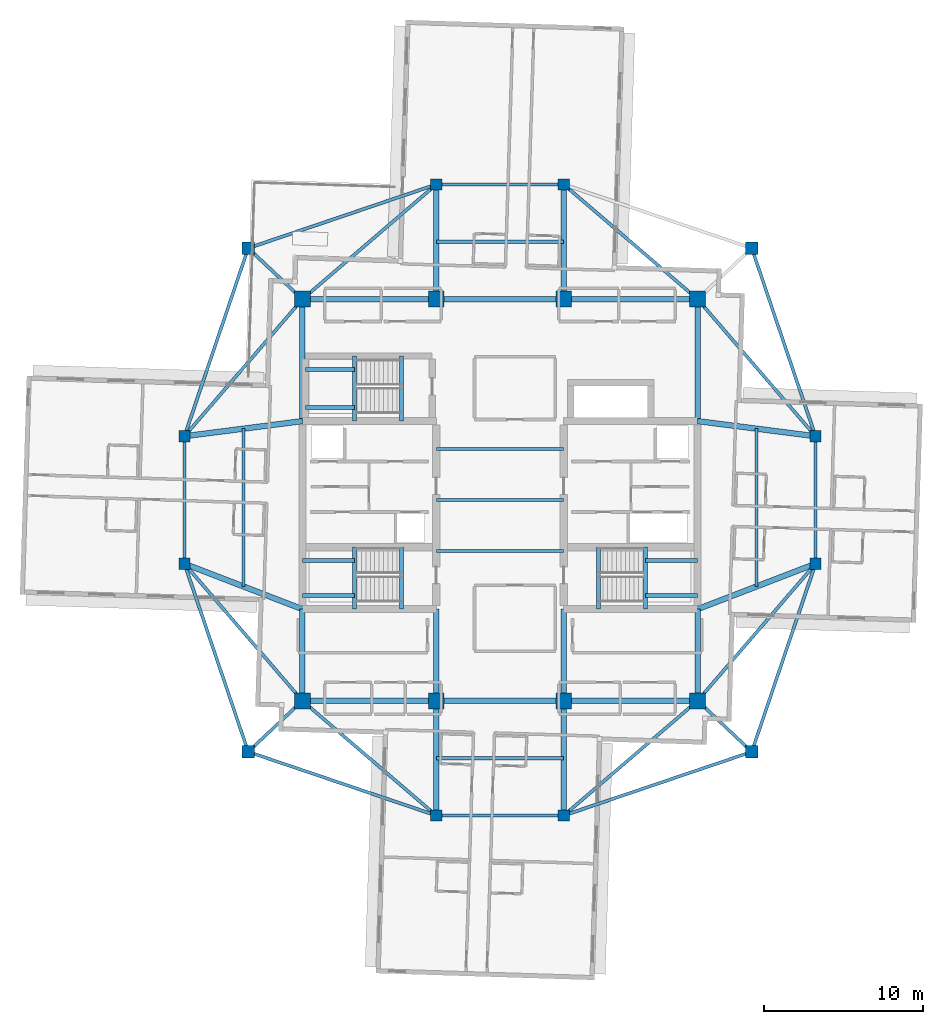
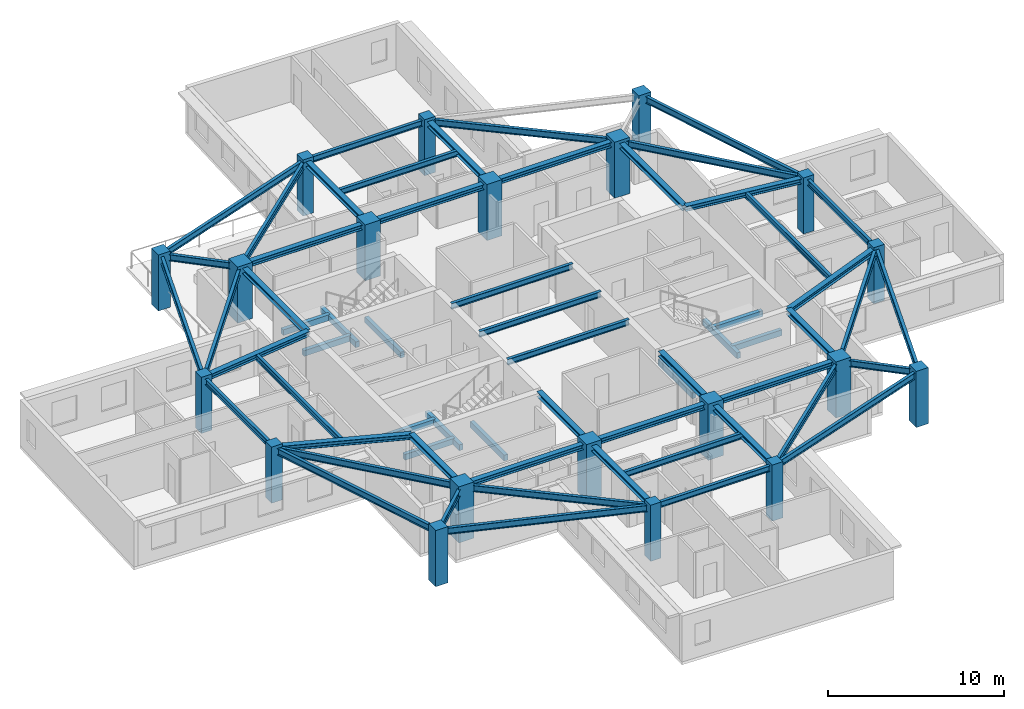
# One storey, part 1 of 13: 61 beams, 20 columns.
"""IFC4 building model written with IfcOpenShell, lengths in metres."""

from ifc_helpers import new_model, si_unit, direction, frame, origin, origin_2d, place, context, subcontext, project, spatial, rectangle, i_section, extrude, material, material_profile, profile_set, type_object, element, save


model = new_model("IFC4")

# Units and contexts
model_context = context("Model", 3, precision=1e-05, world=origin(), true_north=direction((0.0, 1.0)))
body_context = subcontext(model_context, "Body", "Model", "MODEL_VIEW")
ifc_project = project(units=[si_unit("LENGTHUNIT", "METRE"), si_unit("AREAUNIT", "SQUARE_METRE"), si_unit("VOLUMEUNIT", "CUBIC_METRE"), si_unit("PLANEANGLEUNIT", "RADIAN"), si_unit("MASSUNIT", "GRAM", prefix="KILO")], contexts=[model_context])

# Site, building, storey
site_placement = place(None, origin())
site = spatial("IfcSite", under=ifc_project, at=site_placement, CompositionType="ELEMENT")
building_placement = place(site_placement, origin())
building = spatial("IfcBuilding", under=site, at=building_placement, Name="Qingluan Cross Belvedere", CompositionType="ELEMENT")
storey_placement = place(building_placement, frame((0.0, 0.0, 257.699951171875)))
storey = spatial("IfcBuildingStorey", under=building, at=storey_placement, Name="L64", CompositionType="ELEMENT", Elevation=257.699951171875)

# Columns
ifc_material_1 = material(Name="Concrete C50", Category="concrete")
ifc_material_profile_1 = material_profile(ifc_material_1, rectangle(XDim=1.0, YDim=1.0, at=origin_2d()), Name="RC1000x1000")
ifc_profile_set_1 = profile_set([ifc_material_profile_1], Name="Concrete C50")
column_type_1 = type_object("IfcColumnType", Name="Column_RC1000x1000", PredefinedType="COLUMN", material=ifc_profile_set_1)
for number, where, z_axis, x_axis, name in (
    (1, (-12.39990234375, -12.60009765625, 0.0), (0.0, 0.0, 1.0), (1.0, 0.0, 0.0), "Hub column L64-HC1"),
    (2, (12.39990234375, -12.60009765625, 0.0), (0.0, 0.0, 1.0), (1.0, 0.0, 0.0), "Hub column L64-HC2"),
    (3, (12.39990234375, 12.60009765625, 0.0), (0.0, 0.0, 1.0), (1.0, 0.0, 0.0), "Hub column L64-HC3"),
    (4, (-12.39990234375, 12.60009765625, 0.0), (0.0, 0.0, 1.0), (1.0, 0.0, 0.0), "Hub column L64-HC4"),
    (5, (-4.0, -12.60009765625, 0.0), (0.0, 0.0, 1.0), (1.0, 0.0, 0.0), "Hub column L64-HC5"),
    (6, (4.0, -12.60009765625, 0.0), (0.0, 0.0, 1.0), (1.0, 0.0, 0.0), "Hub column L64-HC6"),
    (7, (4.0, 12.60009765625, 0.0), (0.0, 0.0, 1.0), (1.0, 0.0, 0.0), "Hub column L64-HC7"),
    (8, (-4.0, 12.60009765625, 0.0), (0.0, 0.0, 1.0), (1.0, 0.0, 0.0), "Hub column L64-HC8"),
):
    element("IfcColumn", number, at=place(storey_placement, frame(where, z_axis=z_axis, x_axis=x_axis)), inside=storey, type_object=column_type_1, Name=name, PredefinedType="COLUMN", context=body_context, shape_type="SweptSolid", body=[
        extrude(rectangle(XDim=1.0, YDim=1.0, at=origin_2d()), origin(), (0.0, 0.0, 1.0), 3.900146484375),
    ])
ifc_material_2 = material(Name="Concrete C50", Category="concrete")
ifc_material_profile_2 = material_profile(ifc_material_2, rectangle(XDim=0.699951171875, YDim=0.699951171875, at=origin_2d()), Name="RC700x700")
ifc_profile_set_2 = profile_set([ifc_material_profile_2], Name="Concrete C50")
column_type_2 = type_object("IfcColumnType", Name="Column_RC700x700", PredefinedType="COLUMN", material=ifc_profile_set_2)
for number, where, z_axis, x_axis, name in (
    (9, (19.800048828125, -4.0, 0.0), (0.0, 0.0, 1.0), (1.0, 0.0, 0.0), "Arm column L64-EIA"),
    (10, (19.800048828125, 4.0, 0.0), (0.0, 0.0, 1.0), (1.0, 0.0, 0.0), "Arm column L64-EIB"),
    (11, (-19.800048828125, -4.0, 0.0), (0.0, 0.0, 1.0), (1.0, 0.0, 0.0), "Arm column L64-WIA"),
    (12, (-19.800048828125, 4.0, 0.0), (0.0, 0.0, 1.0), (1.0, 0.0, 0.0), "Arm column L64-WIB"),
    (13, (-4.0, -19.800048828125, 0.0), (0.0, 0.0, 1.0), (1.0, 0.0, 0.0), "Arm column L64-SIA"),
    (14, (4.0, -19.800048828125, 0.0), (0.0, 0.0, 1.0), (1.0, 0.0, 0.0), "Arm column L64-SIB"),
    (15, (-4.0, 19.800048828125, 0.0), (0.0, 0.0, 1.0), (1.0, 0.0, 0.0), "Arm column L64-NIA"),
    (16, (4.0, 19.800048828125, 0.0), (0.0, 0.0, 1.0), (1.0, 0.0, 0.0), "Arm column L64-NIB"),
):
    element("IfcColumn", number, at=place(storey_placement, frame(where, z_axis=z_axis, x_axis=x_axis)), inside=storey, type_object=column_type_2, Name=name, PredefinedType="COLUMN", context=body_context, shape_type="SweptSolid", body=[
        extrude(rectangle(XDim=0.699951171875, YDim=0.699951171875, at=origin_2d()), origin(), (0.0, 0.0, 1.0), 3.900146484375),
    ])
ifc_material_3 = material(Name="Concrete C50", Category="concrete")
ifc_material_profile_3 = material_profile(ifc_material_3, rectangle(XDim=0.800048828125, YDim=0.800048828125, at=origin_2d()), Name="RC800x800")
ifc_profile_set_3 = profile_set([ifc_material_profile_3], Name="Concrete C50")
column_type_3 = type_object("IfcColumnType", Name="Column_RC800x800", PredefinedType="COLUMN", material=ifc_profile_set_3)
for number, where, z_axis, x_axis, name in (
    (17, (15.800048828125, 15.800048828125, 0.0), (0.0, 0.0, 1.0), (1.0, 0.0, 0.0), "Corner column L64-RNE"),
    (18, (-15.800048828125, 15.800048828125, 0.0), (0.0, 0.0, 1.0), (1.0, 0.0, 0.0), "Corner column L64-RNW"),
    (19, (-15.800048828125, -15.800048828125, 0.0), (0.0, 0.0, 1.0), (1.0, 0.0, 0.0), "Corner column L64-RSW"),
    (20, (15.800048828125, -15.800048828125, 0.0), (0.0, 0.0, 1.0), (1.0, 0.0, 0.0), "Corner column L64-RSE"),
):
    element("IfcColumn", number, at=place(storey_placement, frame(where, z_axis=z_axis, x_axis=x_axis)), inside=storey, type_object=column_type_3, Name=name, PredefinedType="COLUMN", context=body_context, shape_type="SweptSolid", body=[
        extrude(rectangle(XDim=0.800048828125, YDim=0.800048828125, at=origin_2d()), origin(), (0.0, 0.0, 1.0), 3.900146484375),
    ])

# Beams
ifc_material_4 = material(Name="Concrete C45", Category="concrete")
ifc_material_profile_4 = material_profile(ifc_material_4, rectangle(XDim=0.25, YDim=0.39990234375, at=origin_2d()), Name="RC250x400")
ifc_profile_set_4 = profile_set([ifc_material_profile_4], Name="Concrete C45")
beam_type_1 = type_object("IfcBeamType", Name="RC_Lintel_RC250x400", PredefinedType="LINTEL", material=ifc_profile_set_4)
for number, where, z_axis, x_axis, name in (
    (21, (-6.179931640625, -6.85009765625, -0.199951171875), (0.0, 1.0, 0.0), (-1.0, 0.0, 0.0), "Stair ST1 landing beam L64"),
    (22, (6.179931640625, -6.85009765625, -0.199951171875), (0.0, 1.0, 0.0), (-1.0, 0.0, 0.0), "Stair ST2 landing beam L64"),
):
    element("IfcBeam", number, at=place(storey_placement, frame(where, z_axis=z_axis, x_axis=x_axis)), inside=storey, type_object=beam_type_1, Name=name, PredefinedType="LINTEL", context=body_context, shape_type="SweptSolid", body=[
        extrude(rectangle(XDim=0.25, YDim=0.39990234375, at=origin_2d()), origin(), (0.0, 0.0, 1.0), 3.89013671875),
    ])
beam_1_placement = place(storey_placement, frame((-6.179931640625, 4.949951171875, -0.199951171875), z_axis=(0.0, 1.0, 0.0), x_axis=(-1.0, 0.0, 0.0)))
element("IfcBeam", 23, at=beam_1_placement, inside=storey, type_object=beam_type_1, Name="Stair ST3 landing beam L64", PredefinedType="LINTEL", context=body_context, shape_type="SweptSolid", body=[
    extrude(rectangle(XDim=0.25, YDim=0.39990234375, at=origin_2d()), origin(), (0.0, 0.0, 1.0), 4.090087890625),
])
beam_2_placement = place(storey_placement, frame((-9.1298828125, -6.85009765625, 1.550048828125), z_axis=(0.0, 1.0, 0.0), x_axis=(-1.0, 0.0, 0.0)))
element("IfcBeam", 24, at=beam_2_placement, inside=storey, type_object=beam_type_1, Name="Stair ST1 beam A L64", PredefinedType="LINTEL", context=body_context, shape_type="SweptSolid", body=[
    extrude(rectangle(XDim=0.25, YDim=0.39990234375, at=origin_2d()), origin(), (0.0, 0.0, 1.0), 3.89013671875),
])
for number, where, z_axis, x_axis, name in (
    (25, (-12.39990234375, -6.0, 1.550048828125), (1.0, 0.0, 0.0), (0.0, 1.0, 0.0), "Stair ST1 beam B L64"),
    (26, (-12.39990234375, -3.81005859375, 1.550048828125), (1.0, 0.0, 0.0), (0.0, 1.0, 0.0), "Stair ST1 beam C L64"),
):
    element("IfcBeam", number, at=place(storey_placement, frame(where, z_axis=z_axis, x_axis=x_axis)), inside=storey, type_object=beam_type_1, Name=name, PredefinedType="LINTEL", context=body_context, shape_type="SweptSolid", body=[
        extrude(rectangle(XDim=0.25, YDim=0.39990234375, at=origin_2d()), origin(), (0.0, 0.0, 1.0), 3.27001953125),
    ])
beam_3_placement = place(storey_placement, frame((9.1298828125, -6.85009765625, 1.550048828125), z_axis=(0.0, 1.0, 0.0), x_axis=(-1.0, 0.0, 0.0)))
element("IfcBeam", 27, at=beam_3_placement, inside=storey, type_object=beam_type_1, Name="Stair ST2 beam A L64", PredefinedType="LINTEL", context=body_context, shape_type="SweptSolid", body=[
    extrude(rectangle(XDim=0.25, YDim=0.39990234375, at=origin_2d()), origin(), (0.0, 0.0, 1.0), 3.89013671875),
])
for number, where, z_axis, x_axis, name in (
    (28, (12.39990234375, -6.0, 1.550048828125), (-1.0, 0.0, 0.0), (0.0, -1.0, 0.0), "Stair ST2 beam B L64"),
    (29, (12.39990234375, -3.81005859375, 1.550048828125), (-1.0, 0.0, 0.0), (0.0, -1.0, 0.0), "Stair ST2 beam C L64"),
):
    element("IfcBeam", number, at=place(storey_placement, frame(where, z_axis=z_axis, x_axis=x_axis)), inside=storey, type_object=beam_type_1, Name=name, PredefinedType="LINTEL", context=body_context, shape_type="SweptSolid", body=[
        extrude(rectangle(XDim=0.25, YDim=0.39990234375, at=origin_2d()), origin(), (0.0, 0.0, 1.0), 3.27001953125),
    ])
beam_4_placement = place(storey_placement, frame((-9.1298828125, 4.949951171875, 1.550048828125), z_axis=(0.0, 1.0, 0.0), x_axis=(-1.0, 0.0, 0.0)))
element("IfcBeam", 30, at=beam_4_placement, inside=storey, type_object=beam_type_1, Name="Stair ST3 beam A L64", PredefinedType="LINTEL", context=body_context, shape_type="SweptSolid", body=[
    extrude(rectangle(XDim=0.25, YDim=0.39990234375, at=origin_2d()), origin(), (0.0, 0.0, 1.0), 4.090087890625),
])
for number, where, z_axis, x_axis, name in (
    (31, (-12.219970703125, 5.800048828125, 1.550048828125), (1.0, 0.0, 0.0), (0.0, 1.0, 0.0), "Stair ST3 beam B L64"),
    (32, (-12.219970703125, 8.18994140625, 1.550048828125), (1.0, 0.0, 0.0), (0.0, 1.0, 0.0), "Stair ST3 beam C L64"),
):
    element("IfcBeam", number, at=place(storey_placement, frame(where, z_axis=z_axis, x_axis=x_axis)), inside=storey, type_object=beam_type_1, Name=name, PredefinedType="LINTEL", context=body_context, shape_type="SweptSolid", body=[
        extrude(rectangle(XDim=0.25, YDim=0.39990234375, at=origin_2d()), origin(), (0.0, 0.0, 1.0), 3.090087890625),
    ])
ifc_material_5 = material(Name="Steel Q420GJB", Category="steel")
ifc_material_profile_5 = material_profile(ifc_material_5, i_section(OverallWidth=0.199951171875, OverallDepth=0.39990234375, WebThickness=0.008056640625, FlangeThickness=0.012939453125, FilletRadius=0.012939453125, at=origin_2d()), Name="HN400x200x8x13")
ifc_profile_set_5 = profile_set([ifc_material_profile_5], Name="Steel Q420GJB")
beam_type_2 = type_object("IfcBeamType", Name="Steel_Beam_HN400x200x8x13", PredefinedType="JOIST", material=ifc_profile_set_5)
for number, where, z_axis, x_axis, name in (
    (33, (-4.0, -3.199951171875, 3.5), (1.0, 0.0, 0.0), (0.0, 1.0, 0.0), "Hall beam L64-CH1"),
    (34, (-4.0, 0.0, 3.5), (1.0, 0.0, 0.0), (0.0, 1.0, 0.0), "Hall beam L64-CH2"),
    (35, (-4.0, 3.199951171875, 3.5), (1.0, 0.0, 0.0), (0.0, 1.0, 0.0), "Hall beam L64-CH3"),
    (36, (19.800048828125, -4.0, 3.5), (0.0, 1.0, 0.0), (-1.0, 0.0, 0.0), "Arm E tie L64"),
):
    element("IfcBeam", number, at=place(storey_placement, frame(where, z_axis=z_axis, x_axis=x_axis)), inside=storey, type_object=beam_type_2, Name=name, PredefinedType="JOIST", context=body_context, shape_type="SweptSolid", body=[
        extrude(i_section(OverallWidth=0.199951171875, OverallDepth=0.39990234375, WebThickness=0.008056640625, FlangeThickness=0.012939453125, FilletRadius=0.012939453125, at=origin_2d()), origin(), (0.0, 0.0, 1.0), 8.0),
    ])
beam_5_placement = place(storey_placement, frame((16.10009765625, -5.425048828125, 3.5), z_axis=(0.0, 1.0, 0.0), x_axis=(-1.0, 0.0, 0.0)))
element("IfcBeam", 37, at=beam_5_placement, inside=storey, type_object=beam_type_2, Name="Arm E beam L64", PredefinedType="JOIST", context=body_context, shape_type="SweptSolid", body=[
    extrude(i_section(OverallWidth=0.199951171875, OverallDepth=0.39990234375, WebThickness=0.008056640625, FlangeThickness=0.012939453125, FilletRadius=0.012939453125, at=origin_2d()), origin(), (0.0, 0.0, 1.0), 9.900146484375),
])
beam_6_placement = place(storey_placement, frame((-19.800048828125, -4.0, 3.5), z_axis=(0.0, 1.0, 0.0), x_axis=(-1.0, 0.0, 0.0)))
element("IfcBeam", 38, at=beam_6_placement, inside=storey, type_object=beam_type_2, Name="Arm W tie L64", PredefinedType="JOIST", context=body_context, shape_type="SweptSolid", body=[
    extrude(i_section(OverallWidth=0.199951171875, OverallDepth=0.39990234375, WebThickness=0.008056640625, FlangeThickness=0.012939453125, FilletRadius=0.012939453125, at=origin_2d()), origin(), (0.0, 0.0, 1.0), 8.0),
])
beam_7_placement = place(storey_placement, frame((-16.10009765625, -5.425048828125, 3.5), z_axis=(0.0, 1.0, 0.0), x_axis=(-1.0, 0.0, 0.0)))
element("IfcBeam", 39, at=beam_7_placement, inside=storey, type_object=beam_type_2, Name="Arm W beam L64", PredefinedType="JOIST", context=body_context, shape_type="SweptSolid", body=[
    extrude(i_section(OverallWidth=0.199951171875, OverallDepth=0.39990234375, WebThickness=0.008056640625, FlangeThickness=0.012939453125, FilletRadius=0.012939453125, at=origin_2d()), origin(), (0.0, 0.0, 1.0), 9.900146484375),
])
for number, where, z_axis, x_axis, name in (
    (40, (-4.0, 19.800048828125, 3.5), (1.0, 0.0, 0.0), (0.0, 1.0, 0.0), "Arm N tie L64"),
    (41, (-4.0, 16.199951171875, 3.5), (1.0, 0.0, 0.0), (0.0, 1.0, 0.0), "Arm N beam L64"),
    (42, (-4.0, -19.800048828125, 3.5), (1.0, 0.0, 0.0), (0.0, 1.0, 0.0), "Arm S tie L64"),
    (43, (-4.0, -16.199951171875, 3.5), (1.0, 0.0, 0.0), (0.0, 1.0, 0.0), "Arm S beam L64"),
):
    element("IfcBeam", number, at=place(storey_placement, frame(where, z_axis=z_axis, x_axis=x_axis)), inside=storey, type_object=beam_type_2, Name=name, PredefinedType="JOIST", context=body_context, shape_type="SweptSolid", body=[
        extrude(i_section(OverallWidth=0.199951171875, OverallDepth=0.39990234375, WebThickness=0.008056640625, FlangeThickness=0.012939453125, FilletRadius=0.012939453125, at=origin_2d()), origin(), (0.0, 0.0, 1.0), 8.0),
    ])
ifc_material_6 = material(Name="Steel Q420GJB", Category="steel")
ifc_material_profile_6 = material_profile(ifc_material_6, i_section(OverallWidth=0.199951171875, OverallDepth=0.449951171875, WebThickness=0.009033203125, FlangeThickness=0.013916015625, FilletRadius=0.01611328125, at=origin_2d()), Name="HN450x200x9x14")
ifc_profile_set_6 = profile_set([ifc_material_profile_6], Name="Steel Q420GJB")
beam_type_3 = type_object("IfcBeamType", Name="Steel_Beam_HN450x200x9x14", PredefinedType="JOIST", material=ifc_profile_set_6)
beam_8_placement = place(storey_placement, frame((15.800048828125, 15.800048828125, 3.47509765625), z_axis=(0.321038089628, -0.947066283324, 0.0), x_axis=(0.947066283324, 0.321038089628, 0.0)))
element("IfcBeam", 44, at=beam_8_placement, inside=storey, type_object=beam_type_3, Name="Corner beam 3 L64-RNE", PredefinedType="JOIST", context=body_context, shape_type="SweptSolid", body=[
    extrude(i_section(OverallWidth=0.199951171875, OverallDepth=0.449951171875, WebThickness=0.009033203125, FlangeThickness=0.013916015625, FilletRadius=0.01611328125, at=origin_2d()), origin(), (0.0, 0.0, 1.0), 12.45947265625),
])
beam_9_placement = place(storey_placement, frame((12.39990234375, 12.60009765625, 3.47509765625), z_axis=(0.652245077546, -0.75800815221, 0.0), x_axis=(0.75800815221, 0.652245077546, 0.0)))
element("IfcBeam", 45, at=beam_9_placement, inside=storey, type_object=beam_type_3, Name="Corner beam 4 L64-RNE", PredefinedType="JOIST", context=body_context, shape_type="SweptSolid", body=[
    extrude(i_section(OverallWidth=0.199951171875, OverallDepth=0.449951171875, WebThickness=0.009033203125, FlangeThickness=0.013916015625, FilletRadius=0.01611328125, at=origin_2d()), origin(), (0.0, 0.0, 1.0), 11.345703125),
])
beam_10_placement = place(storey_placement, frame((12.39990234375, 12.60009765625, 3.47509765625), z_axis=(-0.759255044656, 0.650793190779, 0.0), x_axis=(-0.650793190779, -0.759255044656, 0.0)))
element("IfcBeam", 46, at=beam_10_placement, inside=storey, type_object=beam_type_3, Name="Corner beam 5 L64-RNE", PredefinedType="JOIST", context=body_context, shape_type="SweptSolid", body=[
    extrude(i_section(OverallWidth=0.199951171875, OverallDepth=0.449951171875, WebThickness=0.009033203125, FlangeThickness=0.013916015625, FilletRadius=0.01611328125, at=origin_2d()), origin(), (0.0, 0.0, 1.0), 11.063232421875),
])
beam_11_placement = place(storey_placement, frame((-12.39990234375, 12.60009765625, 3.47509765625), z_axis=(-0.728219948308, 0.685343495546, 0.0), x_axis=(-0.685343495546, -0.728219948308, 0.0)))
element("IfcBeam", 47, at=beam_11_placement, inside=storey, type_object=beam_type_3, Name="Corner beam 1 L64-RNW", PredefinedType="JOIST", context=body_context, shape_type="SweptSolid", body=[
    extrude(i_section(OverallWidth=0.199951171875, OverallDepth=0.449951171875, WebThickness=0.009033203125, FlangeThickness=0.013916015625, FilletRadius=0.01611328125, at=origin_2d()), origin(), (0.0, 0.0, 1.0), 4.669189453125),
])
for number, where, z_axis, x_axis, name in (
    (48, (-15.800048828125, 15.800048828125, 3.47509765625), (0.947066283324, 0.321038089628, 0.0), (-0.321038089628, 0.947066283324, 0.0), "Corner beam 2 L64-RNW"),
    (49, (-15.800048828125, 15.800048828125, 3.47509765625), (-0.321038089628, -0.947066283324, 0.0), (0.947066283324, -0.321038089628, 0.0), "Corner beam 3 L64-RNW"),
):
    element("IfcBeam", number, at=place(storey_placement, frame(where, z_axis=z_axis, x_axis=x_axis)), inside=storey, type_object=beam_type_3, Name=name, PredefinedType="JOIST", context=body_context, shape_type="SweptSolid", body=[
        extrude(i_section(OverallWidth=0.199951171875, OverallDepth=0.449951171875, WebThickness=0.009033203125, FlangeThickness=0.013916015625, FilletRadius=0.01611328125, at=origin_2d()), origin(), (0.0, 0.0, 1.0), 12.45947265625),
    ])
beam_12_placement = place(storey_placement, frame((-12.39990234375, 12.60009765625, 3.47509765625), z_axis=(-0.652245077546, -0.75800815221, 0.0), x_axis=(0.75800815221, -0.652245077546, 0.0)))
element("IfcBeam", 50, at=beam_12_placement, inside=storey, type_object=beam_type_3, Name="Corner beam 4 L64-RNW", PredefinedType="JOIST", context=body_context, shape_type="SweptSolid", body=[
    extrude(i_section(OverallWidth=0.199951171875, OverallDepth=0.449951171875, WebThickness=0.009033203125, FlangeThickness=0.013916015625, FilletRadius=0.01611328125, at=origin_2d()), origin(), (0.0, 0.0, 1.0), 11.345703125),
])
beam_13_placement = place(storey_placement, frame((-12.39990234375, 12.60009765625, 3.47509765625), z_axis=(0.759255044656, 0.650793190779, 0.0), x_axis=(-0.650793190779, 0.759255044656, 0.0)))
element("IfcBeam", 51, at=beam_13_placement, inside=storey, type_object=beam_type_3, Name="Corner beam 5 L64-RNW", PredefinedType="JOIST", context=body_context, shape_type="SweptSolid", body=[
    extrude(i_section(OverallWidth=0.199951171875, OverallDepth=0.449951171875, WebThickness=0.009033203125, FlangeThickness=0.013916015625, FilletRadius=0.01611328125, at=origin_2d()), origin(), (0.0, 0.0, 1.0), 11.063232421875),
])
beam_14_placement = place(storey_placement, frame((-12.39990234375, -12.60009765625, 3.455078125), z_axis=(-0.728219948308, -0.685343495546, 0.0), x_axis=(0.685343495546, -0.728219948308, 0.0)))
element("IfcBeam", 52, at=beam_14_placement, inside=storey, type_object=beam_type_3, Name="Corner beam 1 L64-RSW", PredefinedType="JOIST", context=body_context, shape_type="SweptSolid", body=[
    extrude(i_section(OverallWidth=0.199951171875, OverallDepth=0.449951171875, WebThickness=0.009033203125, FlangeThickness=0.013916015625, FilletRadius=0.01611328125, at=origin_2d()), origin(), (0.0, 0.0, 1.0), 4.669189453125),
])
for number, where, z_axis, x_axis, name in (
    (53, (-15.800048828125, -15.800048828125, 3.455078125), (0.947066283324, -0.321038089628, 0.0), (0.321038089628, 0.947066283324, 0.0), "Corner beam 2 L64-RSW"),
    (54, (-15.800048828125, -15.800048828125, 3.455078125), (-0.321038089628, 0.947066283324, 0.0), (-0.947066283324, -0.321038089628, 0.0), "Corner beam 3 L64-RSW"),
):
    element("IfcBeam", number, at=place(storey_placement, frame(where, z_axis=z_axis, x_axis=x_axis)), inside=storey, type_object=beam_type_3, Name=name, PredefinedType="JOIST", context=body_context, shape_type="SweptSolid", body=[
        extrude(i_section(OverallWidth=0.199951171875, OverallDepth=0.449951171875, WebThickness=0.009033203125, FlangeThickness=0.013916015625, FilletRadius=0.01611328125, at=origin_2d()), origin(), (0.0, 0.0, 1.0), 12.45947265625),
    ])
beam_15_placement = place(storey_placement, frame((-12.39990234375, -12.60009765625, 3.455078125), z_axis=(-0.652245077546, 0.75800815221, 0.0), x_axis=(-0.75800815221, -0.652245077546, 0.0)))
element("IfcBeam", 55, at=beam_15_placement, inside=storey, type_object=beam_type_3, Name="Corner beam 4 L64-RSW", PredefinedType="JOIST", context=body_context, shape_type="SweptSolid", body=[
    extrude(i_section(OverallWidth=0.199951171875, OverallDepth=0.449951171875, WebThickness=0.009033203125, FlangeThickness=0.013916015625, FilletRadius=0.01611328125, at=origin_2d()), origin(), (0.0, 0.0, 1.0), 11.345703125),
])
beam_16_placement = place(storey_placement, frame((-12.39990234375, -12.60009765625, 3.455078125), z_axis=(0.759255044656, -0.650793190779, 0.0), x_axis=(0.650793190779, 0.759255044656, 0.0)))
element("IfcBeam", 56, at=beam_16_placement, inside=storey, type_object=beam_type_3, Name="Corner beam 5 L64-RSW", PredefinedType="JOIST", context=body_context, shape_type="SweptSolid", body=[
    extrude(i_section(OverallWidth=0.199951171875, OverallDepth=0.449951171875, WebThickness=0.009033203125, FlangeThickness=0.013916015625, FilletRadius=0.01611328125, at=origin_2d()), origin(), (0.0, 0.0, 1.0), 11.063232421875),
])
beam_17_placement = place(storey_placement, frame((12.39990234375, -12.60009765625, 3.47509765625), z_axis=(0.728219948308, -0.685343495546, 0.0), x_axis=(0.685343495546, 0.728219948308, 0.0)))
element("IfcBeam", 57, at=beam_17_placement, inside=storey, type_object=beam_type_3, Name="Corner beam 1 L64-RSE", PredefinedType="JOIST", context=body_context, shape_type="SweptSolid", body=[
    extrude(i_section(OverallWidth=0.199951171875, OverallDepth=0.449951171875, WebThickness=0.009033203125, FlangeThickness=0.013916015625, FilletRadius=0.01611328125, at=origin_2d()), origin(), (0.0, 0.0, 1.0), 4.669189453125),
])
for number, where, z_axis, x_axis, name in (
    (58, (15.800048828125, -15.800048828125, 3.47509765625), (-0.947066283324, -0.321038089628, 0.0), (0.321038089628, -0.947066283324, 0.0), "Corner beam 2 L64-RSE"),
    (59, (15.800048828125, -15.800048828125, 3.47509765625), (0.321038089628, 0.947066283324, 0.0), (-0.947066283324, 0.321038089628, 0.0), "Corner beam 3 L64-RSE"),
):
    element("IfcBeam", number, at=place(storey_placement, frame(where, z_axis=z_axis, x_axis=x_axis)), inside=storey, type_object=beam_type_3, Name=name, PredefinedType="JOIST", context=body_context, shape_type="SweptSolid", body=[
        extrude(i_section(OverallWidth=0.199951171875, OverallDepth=0.449951171875, WebThickness=0.009033203125, FlangeThickness=0.013916015625, FilletRadius=0.01611328125, at=origin_2d()), origin(), (0.0, 0.0, 1.0), 12.45947265625),
    ])
beam_18_placement = place(storey_placement, frame((12.39990234375, -12.60009765625, 3.47509765625), z_axis=(0.652245077546, 0.75800815221, 0.0), x_axis=(-0.75800815221, 0.652245077546, 0.0)))
element("IfcBeam", 60, at=beam_18_placement, inside=storey, type_object=beam_type_3, Name="Corner beam 4 L64-RSE", PredefinedType="JOIST", context=body_context, shape_type="SweptSolid", body=[
    extrude(i_section(OverallWidth=0.199951171875, OverallDepth=0.449951171875, WebThickness=0.009033203125, FlangeThickness=0.013916015625, FilletRadius=0.01611328125, at=origin_2d()), origin(), (0.0, 0.0, 1.0), 11.345703125),
])
beam_19_placement = place(storey_placement, frame((12.39990234375, -12.60009765625, 3.47509765625), z_axis=(-0.759255044656, -0.650793190779, 0.0), x_axis=(0.650793190779, -0.759255044656, 0.0)))
element("IfcBeam", 61, at=beam_19_placement, inside=storey, type_object=beam_type_3, Name="Corner beam 5 L64-RSE", PredefinedType="JOIST", context=body_context, shape_type="SweptSolid", body=[
    extrude(i_section(OverallWidth=0.199951171875, OverallDepth=0.449951171875, WebThickness=0.009033203125, FlangeThickness=0.013916015625, FilletRadius=0.01611328125, at=origin_2d()), origin(), (0.0, 0.0, 1.0), 11.063232421875),
])
ifc_material_7 = material(Name="Steel Q420GJB", Category="steel")
ifc_material_profile_7 = material_profile(ifc_material_7, i_section(OverallWidth=0.35009765625, OverallDepth=0.35009765625, WebThickness=0.011962890625, FlangeThickness=0.01904296875, FilletRadius=0.02001953125, at=origin_2d()), Name="HW350x350x12x19")
ifc_profile_set_7 = profile_set([ifc_material_profile_7], Name="Steel Q420GJB")
beam_type_4 = type_object("IfcBeamType", Name="Steel_Girder_HW350x350x12x19", PredefinedType="USERDEFINED", material=ifc_profile_set_7)
beam_20_placement = place(storey_placement, frame((-12.39990234375, -12.60009765625, 3.525146484375), z_axis=(1.0, 0.0, 0.0), x_axis=(0.0, 1.0, 0.0)))
element("IfcBeam", 62, at=beam_20_placement, inside=storey, type_object=beam_type_4, Name="Hub girder L64-HG-S1", ObjectType="GIRDER", PredefinedType="USERDEFINED", context=body_context, shape_type="SweptSolid", body=[
    extrude(i_section(OverallWidth=0.35009765625, OverallDepth=0.35009765625, WebThickness=0.011962890625, FlangeThickness=0.01904296875, FilletRadius=0.02001953125, at=origin_2d()), origin(), (0.0, 0.0, 1.0), 8.39990234375),
])
beam_21_placement = place(storey_placement, frame((-4.0, -12.60009765625, 3.525146484375), z_axis=(1.0, 0.0, 0.0), x_axis=(0.0, 1.0, 0.0)))
element("IfcBeam", 63, at=beam_21_placement, inside=storey, type_object=beam_type_4, Name="Hub girder L64-HG-S2", ObjectType="GIRDER", PredefinedType="USERDEFINED", context=body_context, shape_type="SweptSolid", body=[
    extrude(i_section(OverallWidth=0.35009765625, OverallDepth=0.35009765625, WebThickness=0.011962890625, FlangeThickness=0.01904296875, FilletRadius=0.02001953125, at=origin_2d()), origin(), (0.0, 0.0, 1.0), 8.0),
])
for number, where, z_axis, x_axis, name in (
    (64, (4.0, -12.60009765625, 3.525146484375), (1.0, 0.0, 0.0), (0.0, 1.0, 0.0), "Hub girder L64-HG-S3"),
    (65, (-12.39990234375, 12.60009765625, 3.525146484375), (1.0, 0.0, 0.0), (0.0, 1.0, 0.0), "Hub girder L64-HG-N1"),
):
    element("IfcBeam", number, at=place(storey_placement, frame(where, z_axis=z_axis, x_axis=x_axis)), inside=storey, type_object=beam_type_4, Name=name, ObjectType="GIRDER", PredefinedType="USERDEFINED", context=body_context, shape_type="SweptSolid", body=[
        extrude(i_section(OverallWidth=0.35009765625, OverallDepth=0.35009765625, WebThickness=0.011962890625, FlangeThickness=0.01904296875, FilletRadius=0.02001953125, at=origin_2d()), origin(), (0.0, 0.0, 1.0), 8.39990234375),
    ])
beam_22_placement = place(storey_placement, frame((-4.0, 12.60009765625, 3.525146484375), z_axis=(1.0, 0.0, 0.0), x_axis=(0.0, 1.0, 0.0)))
element("IfcBeam", 66, at=beam_22_placement, inside=storey, type_object=beam_type_4, Name="Hub girder L64-HG-N2", ObjectType="GIRDER", PredefinedType="USERDEFINED", context=body_context, shape_type="SweptSolid", body=[
    extrude(i_section(OverallWidth=0.35009765625, OverallDepth=0.35009765625, WebThickness=0.011962890625, FlangeThickness=0.01904296875, FilletRadius=0.02001953125, at=origin_2d()), origin(), (0.0, 0.0, 1.0), 8.0),
])
beam_23_placement = place(storey_placement, frame((4.0, 12.60009765625, 3.525146484375), z_axis=(1.0, 0.0, 0.0), x_axis=(0.0, 1.0, 0.0)))
element("IfcBeam", 67, at=beam_23_placement, inside=storey, type_object=beam_type_4, Name="Hub girder L64-HG-N3", ObjectType="GIRDER", PredefinedType="USERDEFINED", context=body_context, shape_type="SweptSolid", body=[
    extrude(i_section(OverallWidth=0.35009765625, OverallDepth=0.35009765625, WebThickness=0.011962890625, FlangeThickness=0.01904296875, FilletRadius=0.02001953125, at=origin_2d()), origin(), (0.0, 0.0, 1.0), 8.39990234375),
])
beam_24_placement = place(storey_placement, frame((-12.39990234375, -12.60009765625, 3.525146484375), z_axis=(0.0, 1.0, 0.0), x_axis=(-1.0, 0.0, 0.0)))
element("IfcBeam", 68, at=beam_24_placement, inside=storey, type_object=beam_type_4, Name="Hub girder L64-HG-W1", ObjectType="GIRDER", PredefinedType="USERDEFINED", context=body_context, shape_type="SweptSolid", body=[
    extrude(i_section(OverallWidth=0.35009765625, OverallDepth=0.35009765625, WebThickness=0.011962890625, FlangeThickness=0.01904296875, FilletRadius=0.02001953125, at=origin_2d()), origin(), (0.0, 0.0, 1.0), 5.75),
])
beam_25_placement = place(storey_placement, frame((-12.39990234375, 4.949951171875, 3.525146484375), z_axis=(0.0, 1.0, 0.0), x_axis=(-1.0, 0.0, 0.0)))
element("IfcBeam", 69, at=beam_25_placement, inside=storey, type_object=beam_type_4, Name="Hub girder L64-HG-W2", ObjectType="GIRDER", PredefinedType="USERDEFINED", context=body_context, shape_type="SweptSolid", body=[
    extrude(i_section(OverallWidth=0.35009765625, OverallDepth=0.35009765625, WebThickness=0.011962890625, FlangeThickness=0.01904296875, FilletRadius=0.02001953125, at=origin_2d()), origin(), (0.0, 0.0, 1.0), 7.650146484375),
])
beam_26_placement = place(storey_placement, frame((12.39990234375, -12.60009765625, 3.525146484375), z_axis=(0.0, 1.0, 0.0), x_axis=(-1.0, 0.0, 0.0)))
element("IfcBeam", 70, at=beam_26_placement, inside=storey, type_object=beam_type_4, Name="Hub girder L64-HG-E1", ObjectType="GIRDER", PredefinedType="USERDEFINED", context=body_context, shape_type="SweptSolid", body=[
    extrude(i_section(OverallWidth=0.35009765625, OverallDepth=0.35009765625, WebThickness=0.011962890625, FlangeThickness=0.01904296875, FilletRadius=0.02001953125, at=origin_2d()), origin(), (0.0, 0.0, 1.0), 5.75),
])
beam_27_placement = place(storey_placement, frame((12.39990234375, 4.949951171875, 3.525146484375), z_axis=(0.0, 1.0, 0.0), x_axis=(-1.0, 0.0, 0.0)))
element("IfcBeam", 71, at=beam_27_placement, inside=storey, type_object=beam_type_4, Name="Hub girder L64-HG-E2", ObjectType="GIRDER", PredefinedType="USERDEFINED", context=body_context, shape_type="SweptSolid", body=[
    extrude(i_section(OverallWidth=0.35009765625, OverallDepth=0.35009765625, WebThickness=0.011962890625, FlangeThickness=0.01904296875, FilletRadius=0.02001953125, at=origin_2d()), origin(), (0.0, 0.0, 1.0), 7.650146484375),
])
for number, where, z_axis, x_axis, name in (
    (72, (-4.0, -12.60009765625, 3.525146484375), (0.0, 1.0, 0.0), (-1.0, 0.0, 0.0), "Hub girder L64-HG-CW"),
    (73, (4.0, -12.60009765625, 3.525146484375), (0.0, 1.0, 0.0), (-1.0, 0.0, 0.0), "Hub girder L64-HG-CE"),
):
    element("IfcBeam", number, at=place(storey_placement, frame(where, z_axis=z_axis, x_axis=x_axis)), inside=storey, type_object=beam_type_4, Name=name, ObjectType="GIRDER", PredefinedType="USERDEFINED", context=body_context, shape_type="SweptSolid", body=[
        extrude(i_section(OverallWidth=0.35009765625, OverallDepth=0.35009765625, WebThickness=0.011962890625, FlangeThickness=0.01904296875, FilletRadius=0.02001953125, at=origin_2d()), origin(), (0.0, 0.0, 1.0), 5.75),
    ])
beam_28_placement = place(storey_placement, frame((12.39990234375, -6.85009765625, 3.525146484375), z_axis=(0.933181258889, 0.359406090735, 0.0), x_axis=(-0.359406090735, 0.933181258889, 0.0)))
element("IfcBeam", 74, at=beam_28_placement, inside=storey, type_object=beam_type_4, Name="Arm E radial girder A L64", ObjectType="GIRDER", PredefinedType="USERDEFINED", context=body_context, shape_type="SweptSolid", body=[
    extrude(i_section(OverallWidth=0.35009765625, OverallDepth=0.35009765625, WebThickness=0.011962890625, FlangeThickness=0.01904296875, FilletRadius=0.02001953125, at=origin_2d()), origin(), (0.0, 0.0, 1.0), 7.929931640625),
])
beam_29_placement = place(storey_placement, frame((12.39990234375, 4.949951171875, 3.525146484375), z_axis=(0.991861120628, -0.12732445714, 0.0), x_axis=(0.12732445714, 0.991861120628, 0.0)))
element("IfcBeam", 75, at=beam_29_placement, inside=storey, type_object=beam_type_4, Name="Arm E radial girder B L64", ObjectType="GIRDER", PredefinedType="USERDEFINED", context=body_context, shape_type="SweptSolid", body=[
    extrude(i_section(OverallWidth=0.35009765625, OverallDepth=0.35009765625, WebThickness=0.011962890625, FlangeThickness=0.01904296875, FilletRadius=0.02001953125, at=origin_2d()), origin(), (0.0, 0.0, 1.0), 7.4609375),
])
beam_30_placement = place(storey_placement, frame((-12.39990234375, -6.85009765625, 3.525146484375), z_axis=(-0.933181258889, 0.359406090735, 0.0), x_axis=(-0.359406090735, -0.933181258889, 0.0)))
element("IfcBeam", 76, at=beam_30_placement, inside=storey, type_object=beam_type_4, Name="Arm W radial girder A L64", ObjectType="GIRDER", PredefinedType="USERDEFINED", context=body_context, shape_type="SweptSolid", body=[
    extrude(i_section(OverallWidth=0.35009765625, OverallDepth=0.35009765625, WebThickness=0.011962890625, FlangeThickness=0.01904296875, FilletRadius=0.02001953125, at=origin_2d()), origin(), (0.0, 0.0, 1.0), 7.929931640625),
])
beam_31_placement = place(storey_placement, frame((-12.39990234375, 4.949951171875, 3.525146484375), z_axis=(-0.991861120628, -0.12732445714, 0.0), x_axis=(0.12732445714, -0.991861120628, 0.0)))
element("IfcBeam", 77, at=beam_31_placement, inside=storey, type_object=beam_type_4, Name="Arm W radial girder B L64", ObjectType="GIRDER", PredefinedType="USERDEFINED", context=body_context, shape_type="SweptSolid", body=[
    extrude(i_section(OverallWidth=0.35009765625, OverallDepth=0.35009765625, WebThickness=0.011962890625, FlangeThickness=0.01904296875, FilletRadius=0.02001953125, at=origin_2d()), origin(), (0.0, 0.0, 1.0), 7.4609375),
])
for number, where, z_axis, x_axis, name in (
    (78, (-4.0, 12.60009765625, 3.525146484375), (0.0, 1.0, 0.0), (-1.0, 0.0, 0.0), "Arm N radial girder A L64"),
    (79, (4.0, 12.60009765625, 3.525146484375), (0.0, 1.0, 0.0), (-1.0, 0.0, 0.0), "Arm N radial girder B L64"),
    (80, (-4.0, -12.60009765625, 3.525146484375), (0.0, -1.0, 0.0), (1.0, 0.0, 0.0), "Arm S radial girder A L64"),
    (81, (4.0, -12.60009765625, 3.525146484375), (0.0, -1.0, 0.0), (1.0, 0.0, 0.0), "Arm S radial girder B L64"),
):
    element("IfcBeam", number, at=place(storey_placement, frame(where, z_axis=z_axis, x_axis=x_axis)), inside=storey, type_object=beam_type_4, Name=name, ObjectType="GIRDER", PredefinedType="USERDEFINED", context=body_context, shape_type="SweptSolid", body=[
        extrude(i_section(OverallWidth=0.35009765625, OverallDepth=0.35009765625, WebThickness=0.011962890625, FlangeThickness=0.01904296875, FilletRadius=0.02001953125, at=origin_2d()), origin(), (0.0, 0.0, 1.0), 7.199951171875),
    ])

save(model, "model.ifc")
